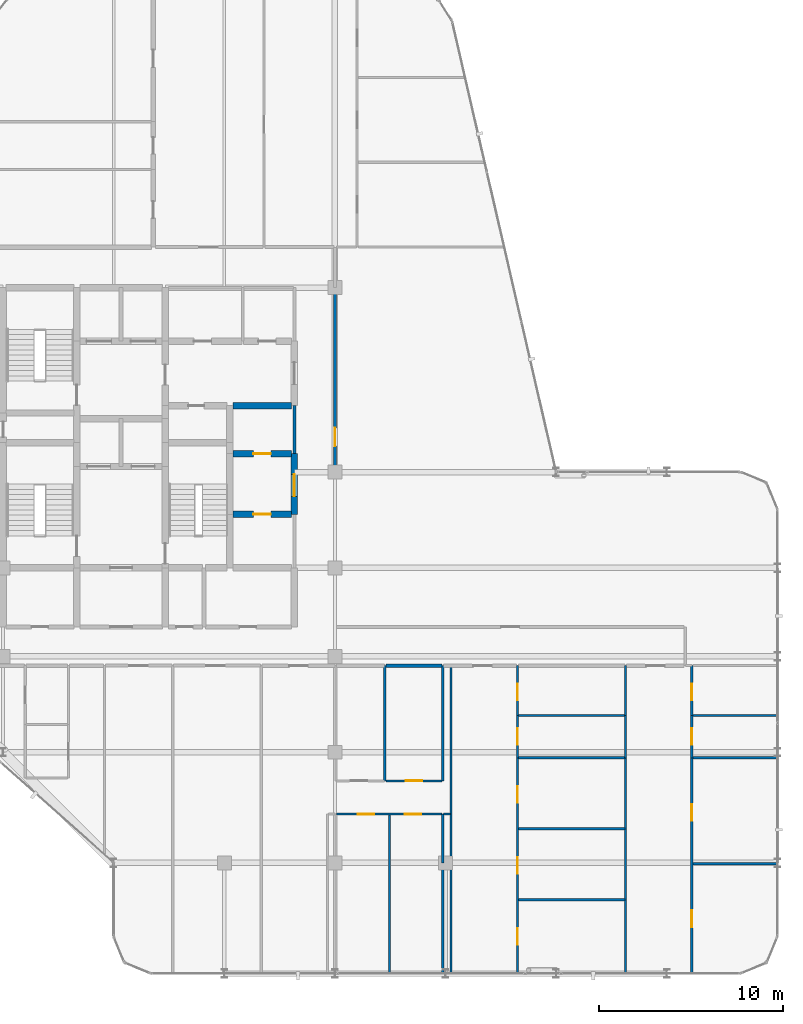
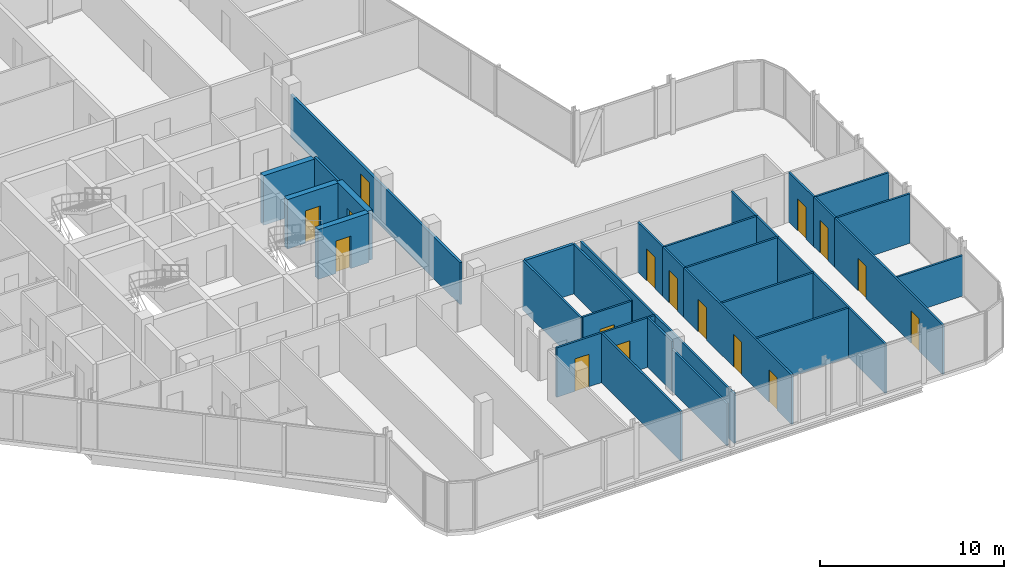
# One storey, part 25 of 28: 32 walls, 16 doors, 16 openings.
"""IFC4 building model written with IfcOpenShell, lengths in metres."""

from ifc_helpers import new_model, si_unit, direction, frame, frame_2d, origin, place, context, subcontext, project, spatial, rectangle, extrude, material, layer, layer_set, type_object, element, fill, save


model = new_model("IFC4")

# Units and contexts
model_context = context("Model", 3, precision=1e-05, world=origin(), true_north=direction((0.0, 1.0)))
body_context = subcontext(model_context, "Body", "Model", "MODEL_VIEW")
ifc_project = project(units=[si_unit("LENGTHUNIT", "METRE"), si_unit("AREAUNIT", "SQUARE_METRE"), si_unit("VOLUMEUNIT", "CUBIC_METRE"), si_unit("PLANEANGLEUNIT", "RADIAN"), si_unit("MASSUNIT", "GRAM", prefix="KILO")], contexts=[model_context])

# Site, building, storey
site_placement = place(None, origin())
site = spatial("IfcSite", under=ifc_project, at=site_placement, CompositionType="ELEMENT")
building_placement = place(site_placement, origin())
building = spatial("IfcBuilding", under=site, at=building_placement, Name="Keshet Zoharim Tower", CompositionType="ELEMENT")
storey_placement = place(building_placement, frame((0.0, 0.0, 233.89990234375)))
storey = spatial("IfcBuildingStorey", under=building, at=storey_placement, Name="L58", CompositionType="ELEMENT", Elevation=233.89990234375)

# Wall
ifc_material_1 = material(Name="Gypsum Plasterboard", Category="gypsum")
ifc_layer_1 = layer(ifc_material_1, 0.14990234375)
ifc_layer_set_1 = layer_set([ifc_layer_1], Name="Gypsum Plasterboard")
wall_type_1 = type_object("IfcWallType", Name="WL-CLIN-150", PredefinedType="STANDARD", material=ifc_layer_set_1)
wall_1_placement = place(storey_placement, frame((30.800048828125, 28.89990234375, 0.0), z_axis=(0.0, 0.0, 1.0), x_axis=(0.0, 1.0, 0.0)))
element("IfcWall", 1, at=wall_1_placement, inside=storey, type_object=wall_type_1, Name="L58 Interior Wall 056", PredefinedType="STANDARD", context=body_context, shape_type="SweptSolid", body=[
    extrude(rectangle(XDim=2.60009765625, YDim=0.14990234375, at=frame_2d((1.300048828125, 0.0))), origin(), (0.0, 0.0, 1.0), 3.280029296875),
])

# Wall, opening, door
wall_2_placement = place(storey_placement, frame((33.0, 19.510009765625, 0.0), z_axis=(0.0, 0.0, 1.0), x_axis=(0.0, 1.0, 0.0)))
wall_2 = element("IfcWall", 2, at=wall_2_placement, inside=storey, type_object=wall_type_1, Name="L58 Interior Wall 060", PredefinedType="STANDARD", context=body_context, shape_type="SweptSolid", body=[
    extrude(rectangle(XDim=18.389892578125, YDim=0.14990234375, at=frame_2d((9.19482421875, 0.0))), origin(), (0.0, 0.0, 1.0), 2.780029296875),
])
opening_1_placement = place(wall_2_placement, frame((9.7900390625, 0.0, 0.0)))
opening_1 = element("IfcOpeningElement", 3, at=opening_1_placement, cuts=wall_2, Name="Opening D-F310", PredefinedType="OPENING", context=body_context, shape_type="SweptSolid", body=[
    extrude(rectangle(XDim=1.0, YDim=2.14990234375, at=frame_2d((0.5, 1.074951171875))), frame((0.0, 0.0849609375, 0.0), z_axis=(0.0, -1.0, 0.0), x_axis=(1.0, 0.0, 0.0)), (0.0, 0.0, 1.0), 0.169921875),
])
ifc_material_2 = material(Name="Hardwood Timber", Category="wood")
door_type_1 = type_object("IfcDoorType", Name="DR-FD30-100", OperationType="NOTDEFINED", PredefinedType="DOOR", material=ifc_material_2)
door_1_placement = place(opening_1_placement, origin())
door_1 = element("IfcDoor", 4, at=door_1_placement, inside=storey, type_object=door_type_1, Name="L58 North East Residents Services Suite Door 1", OperationType="SINGLE_SWING_LEFT", OverallHeight=2.14990234375, OverallWidth=1.0, PredefinedType="DOOR", context=body_context, shape_type="SweptSolid", body=[
    extrude(rectangle(XDim=1.0, YDim=2.14990234375, at=frame_2d((0.5, 1.074951171875))), frame((0.0, 0.02490234375, 0.0), z_axis=(0.0, -1.0, 0.0), x_axis=(1.0, 0.0, 0.0)), (0.0, 0.0, 1.0), 0.050048828125),
])
fill(opening_1, door_1)

ifc_material_3 = material(Name="Concrete C60/75", Category="concrete")
ifc_layer_2 = layer(ifc_material_3, 0.35009765625)
ifc_layer_set_2 = layer_set([ifc_layer_2], Name="Concrete C60/75")
wall_type_2 = type_object("IfcWallType", Name="WL-CORE-350", PredefinedType="SHEAR", material=ifc_layer_set_2)
wall_3_placement = place(storey_placement, frame((30.800048828125, 25.60009765625, 0.0), z_axis=(0.0, 0.0, 1.0), x_axis=(0.0, 1.0, 0.0)))
wall_3 = element("IfcWall", 5, at=wall_3_placement, inside=storey, type_object=wall_type_2, Name="L58 Core Shear Wall 055", PredefinedType="SHEAR", context=body_context, shape_type="SweptSolid", body=[
    extrude(rectangle(XDim=3.2998046875, YDim=0.35009765625, at=frame_2d((1.64990234375, 0.0))), origin(), (0.0, 0.0, 1.0), 3.280029296875),
])
opening_2_placement = place(wall_3_placement, frame((0.97802734375, 0.0, 0.0)))
opening_2 = element("IfcOpeningElement", 6, at=opening_2_placement, cuts=wall_3, Name="Opening D-F612", PredefinedType="OPENING", context=body_context, shape_type="SweptSolid", body=[
    extrude(rectangle(XDim=1.199951171875, YDim=2.199951171875, at=frame_2d((0.60009765625, 1.10009765625))), frame((0.0, 0.18505859375, 0.0), z_axis=(0.0, -1.0, 0.0), x_axis=(1.0, 0.0, 0.0)), (0.0, 0.0, 1.0), 0.3701171875),
])
door_type_2 = type_object("IfcDoorType", Name="DR-FD60-120", OperationType="NOTDEFINED", PredefinedType="DOOR", material=ifc_material_2)
door_2_placement = place(opening_2_placement, origin())
door_2 = element("IfcDoor", 7, at=door_2_placement, inside=storey, type_object=door_type_2, Name="L58 East Lift Lobby Fire Door", OperationType="SINGLE_SWING_LEFT", OverallHeight=2.199951171875, OverallWidth=1.199951171875, PredefinedType="DOOR", context=body_context, shape_type="SweptSolid", body=[
    extrude(rectangle(XDim=1.199951171875, YDim=2.199951171875, at=frame_2d((0.60009765625, 1.10009765625))), frame((0.0, 0.02490234375, 0.0), z_axis=(0.0, -1.0, 0.0), x_axis=(1.0, 0.0, 0.0)), (0.0, 0.0, 1.0), 0.050048828125),
])
fill(opening_2, door_2)

wall_4_placement = place(storey_placement, frame((27.4599609375, 25.60009765625, 0.0), z_axis=(0.0, 0.0, 1.0), x_axis=(1.0, 0.0, 0.0)))
wall_4 = element("IfcWall", 8, at=wall_4_placement, inside=storey, type_object=wall_type_2, Name="L58 Core Shear Wall 122", PredefinedType="SHEAR", context=body_context, shape_type="SweptSolid", body=[
    extrude(rectangle(XDim=3.179931640625, YDim=0.35009765625, at=frame_2d((1.58984375, 0.0))), origin(), (0.0, 0.0, 1.0), 3.280029296875),
])
opening_3_placement = place(wall_4_placement, frame((1.114990234375, 0.0, 0.0)))
opening_3 = element("IfcOpeningElement", 9, at=opening_3_placement, cuts=wall_4, Name="Opening D-F695", PredefinedType="OPENING", context=body_context, shape_type="SweptSolid", body=[
    extrude(rectangle(XDim=0.949951171875, YDim=2.14990234375, at=frame_2d((0.47509765625, 1.074951171875))), frame((0.0, 0.18505859375, 0.0), z_axis=(0.0, -1.0, 0.0), x_axis=(1.0, 0.0, 0.0)), (0.0, 0.0, 1.0), 0.3701171875),
])
door_type_3 = type_object("IfcDoorType", Name="DR-FD60-095", OperationType="NOTDEFINED", PredefinedType="DOOR", material=ifc_material_2)
door_3_placement = place(opening_3_placement, origin())
door_3 = element("IfcDoor", 10, at=door_3_placement, inside=storey, type_object=door_type_3, Name="L58 Study Alcove Door", OperationType="SINGLE_SWING_RIGHT", OverallHeight=2.14990234375, OverallWidth=0.949951171875, PredefinedType="DOOR", context=body_context, shape_type="SweptSolid", body=[
    extrude(rectangle(XDim=0.949951171875, YDim=2.14990234375, at=frame_2d((0.47509765625, 1.074951171875))), frame((0.0, 0.02490234375, 0.0), z_axis=(0.0, -1.0, 0.0), x_axis=(1.0, 0.0, 0.0)), (0.0, 0.0, 1.0), 0.050048828125),
])
fill(opening_3, door_3)

wall_5_placement = place(storey_placement, frame((27.4599609375, 28.89990234375, 0.0), z_axis=(0.0, 0.0, 1.0), x_axis=(1.0, 0.0, 0.0)))
wall_5 = element("IfcWall", 11, at=wall_5_placement, inside=storey, type_object=wall_type_2, Name="L58 Core Shear Wall 130", PredefinedType="SHEAR", context=body_context, shape_type="SweptSolid", body=[
    extrude(rectangle(XDim=3.179931640625, YDim=0.35009765625, at=frame_2d((1.58984375, 0.0))), origin(), (0.0, 0.0, 1.0), 3.280029296875),
])
opening_4_placement = place(wall_5_placement, frame((1.114990234375, 0.0, 0.0)))
opening_4 = element("IfcOpeningElement", 12, at=opening_4_placement, cuts=wall_5, Name="Opening D-F695", PredefinedType="OPENING", context=body_context, shape_type="SweptSolid", body=[
    extrude(rectangle(XDim=0.949951171875, YDim=2.14990234375, at=frame_2d((0.47509765625, 1.074951171875))), frame((0.0, 0.18505859375, 0.0), z_axis=(0.0, -1.0, 0.0), x_axis=(1.0, 0.0, 0.0)), (0.0, 0.0, 1.0), 0.3701171875),
])
door_4_placement = place(opening_4_placement, frame((0.949951171875, 0.0, 0.0), z_axis=(0.0, 0.0, 1.0), x_axis=(-1.0, 0.0, 0.0)))
door_4 = element("IfcDoor", 13, at=door_4_placement, inside=storey, type_object=door_type_3, Name="L58 Parcel Store Door", OperationType="SINGLE_SWING_LEFT", OverallHeight=2.14990234375, OverallWidth=0.949951171875, PredefinedType="DOOR", context=body_context, shape_type="SweptSolid", body=[
    extrude(rectangle(XDim=0.949951171875, YDim=2.14990234375, at=frame_2d((0.47509765625, 1.074951171875))), frame((0.0, 0.02490234375, 0.0), z_axis=(0.0, -1.0, 0.0), x_axis=(1.0, 0.0, 0.0)), (0.0, 0.0, 1.0), 0.050048828125),
])
fill(opening_4, door_4)

# Walls
wall_6_placement = place(storey_placement, frame((27.4599609375, 31.5, 0.0), z_axis=(0.0, 0.0, 1.0), x_axis=(1.0, 0.0, 0.0)))
element("IfcWall", 14, at=wall_6_placement, inside=storey, type_object=wall_type_2, Name="L58 Core Shear Wall 138", PredefinedType="SHEAR", context=body_context, shape_type="SweptSolid", body=[
    extrude(rectangle(XDim=3.179931640625, YDim=0.35009765625, at=frame_2d((1.58984375, 0.0))), origin(), (0.0, 0.0, 1.0), 3.280029296875),
])
ifc_layer_3 = layer(ifc_material_1, 0.179931640625)
ifc_layer_set_3 = layer_set([ifc_layer_3], Name="Gypsum Plasterboard")
wall_type_3 = type_object("IfcWallType", Name="WL-CORR-180", PredefinedType="STANDARD", material=ifc_layer_set_3)
wall_7_placement = place(storey_placement, frame((35.762939453125, 17.39990234375, 0.0), z_axis=(0.0, 0.0, 1.0), x_axis=(1.0, 0.0, 0.0)))
element("IfcWall", 15, at=wall_7_placement, inside=storey, type_object=wall_type_3, Name="L58 Interior Wall 101", PredefinedType="STANDARD", context=body_context, shape_type="SweptSolid", body=[
    extrude(rectangle(XDim=3.0419921875, YDim=0.179931640625, at=frame_2d((1.52099609375, 0.0))), origin(), (0.0, 0.0, 1.0), 3.280029296875),
])
ifc_layer_4 = layer(ifc_material_1, 0.1201171875)
ifc_layer_set_4 = layer_set([ifc_layer_4], Name="Gypsum Plasterboard")
wall_type_4 = type_object("IfcWallType", Name="WL-PART-120", PredefinedType="PARTITIONING", material=ifc_layer_set_4)
wall_8_placement = place(storey_placement, frame((35.949951171875, 0.7099609375, 0.0), z_axis=(0.0, 0.0, 1.0), x_axis=(0.0, 1.0, 0.0)))
element("IfcWall", 16, at=wall_8_placement, inside=storey, type_object=wall_type_4, Name="L58 Interior Wall 065", PredefinedType="PARTITIONING", context=body_context, shape_type="SweptSolid", body=[
    extrude(rectangle(XDim=8.64013671875, YDim=0.1201171875, at=frame_2d((4.320068359375, 0.0))), origin(), (0.0, 0.0, 1.0), 3.280029296875),
])
wall_9_placement = place(storey_placement, frame((38.85009765625, 0.7099609375, 0.0), z_axis=(0.0, 0.0, 1.0), x_axis=(0.0, 1.0, 0.0)))
element("IfcWall", 17, at=wall_9_placement, inside=storey, type_object=wall_type_4, Name="L58 Interior Wall 066", PredefinedType="PARTITIONING", context=body_context, shape_type="SweptSolid", body=[
    extrude(rectangle(XDim=5.989990234375, YDim=0.1201171875, at=frame_2d((2.9951171875, 0.0))), origin(), (0.0, 0.0, 1.0), 2.780029296875),
])
wall_10_placement = place(storey_placement, frame((39.300048828125, 0.7099609375, 0.0), z_axis=(0.0, 0.0, 1.0), x_axis=(0.0, 1.0, 0.0)))
element("IfcWall", 18, at=wall_10_placement, inside=storey, type_object=wall_type_4, Name="L58 Interior Wall 068", PredefinedType="PARTITIONING", context=body_context, shape_type="SweptSolid", body=[
    extrude(rectangle(XDim=16.68994140625, YDim=0.1201171875, at=frame_2d((8.344970703125, 0.0))), origin(), (0.0, 0.0, 1.0), 3.280029296875),
])

# Wall, openings, doors
wall_11_placement = place(storey_placement, frame((42.89990234375, 0.7099609375, 0.0), z_axis=(0.0, 0.0, 1.0), x_axis=(0.0, 1.0, 0.0)))
wall_11 = element("IfcWall", 19, at=wall_11_placement, inside=storey, type_object=wall_type_4, Name="L58 Interior Wall 069", PredefinedType="PARTITIONING", context=body_context, shape_type="SweptSolid", body=[
    extrude(rectangle(XDim=11.68994140625, YDim=0.1201171875, at=frame_2d((5.844970703125, 0.0))), origin(), (0.0, 0.0, 1.0), 3.280029296875),
])
opening_5_placement = place(wall_11_placement, frame((1.551025390625, 0.0, 0.0)))
opening_5 = element("IfcOpeningElement", 20, at=opening_5_placement, cuts=wall_11, Name="Opening D-IN90", PredefinedType="OPENING", context=body_context, shape_type="SweptSolid", body=[
    extrude(rectangle(XDim=0.89990234375, YDim=2.14990234375, at=frame_2d((0.449951171875, 1.074951171875))), frame((0.0, 0.070068359375, 0.0), z_axis=(0.0, -1.0, 0.0), x_axis=(1.0, 0.0, 0.0)), (0.0, 0.0, 1.0), 0.14013671875),
])
opening_6_placement = place(wall_11_placement, frame((5.39794921875, 0.0, 0.0)))
opening_6 = element("IfcOpeningElement", 21, at=opening_6_placement, cuts=wall_11, Name="Opening D-IN90", PredefinedType="OPENING", context=body_context, shape_type="SweptSolid", body=[
    extrude(rectangle(XDim=0.89990234375, YDim=2.14990234375, at=frame_2d((0.449951171875, 1.074951171875))), frame((0.0, 0.070068359375, 0.0), z_axis=(0.0, -1.0, 0.0), x_axis=(1.0, 0.0, 0.0)), (0.0, 0.0, 1.0), 0.14013671875),
])
opening_7_placement = place(wall_11_placement, frame((9.241943359375, 0.0, 0.0)))
opening_7 = element("IfcOpeningElement", 22, at=opening_7_placement, cuts=wall_11, Name="Opening D-IN90", PredefinedType="OPENING", context=body_context, shape_type="SweptSolid", body=[
    extrude(rectangle(XDim=0.89990234375, YDim=2.14990234375, at=frame_2d((0.449951171875, 1.074951171875))), frame((0.0, 0.070068359375, 0.0), z_axis=(0.0, -1.0, 0.0), x_axis=(1.0, 0.0, 0.0)), (0.0, 0.0, 1.0), 0.14013671875),
])
door_type_4 = type_object("IfcDoorType", Name="DR-INT-090", OperationType="NOTDEFINED", PredefinedType="DOOR", material=ifc_material_2)
door_5_placement = place(opening_5_placement, origin())
door_5 = element("IfcDoor", 23, at=door_5_placement, inside=storey, type_object=door_type_4, Name="Apartment 5803 Bedroom 1 Door", OperationType="SINGLE_SWING_LEFT", OverallHeight=2.14990234375, OverallWidth=0.89990234375, PredefinedType="DOOR", context=body_context, shape_type="SweptSolid", body=[
    extrude(rectangle(XDim=0.89990234375, YDim=2.14990234375, at=frame_2d((0.449951171875, 1.074951171875))), frame((0.0, 0.02490234375, 0.0), z_axis=(0.0, -1.0, 0.0), x_axis=(1.0, 0.0, 0.0)), (0.0, 0.0, 1.0), 0.050048828125),
])
fill(opening_5, door_5)
door_6_placement = place(opening_6_placement, origin())
door_6 = element("IfcDoor", 24, at=door_6_placement, inside=storey, type_object=door_type_4, Name="Apartment 5803 Bedroom 2 Door", OperationType="SINGLE_SWING_RIGHT", OverallHeight=2.14990234375, OverallWidth=0.89990234375, PredefinedType="DOOR", context=body_context, shape_type="SweptSolid", body=[
    extrude(rectangle(XDim=0.89990234375, YDim=2.14990234375, at=frame_2d((0.449951171875, 1.074951171875))), frame((0.0, 0.02490234375, 0.0), z_axis=(0.0, -1.0, 0.0), x_axis=(1.0, 0.0, 0.0)), (0.0, 0.0, 1.0), 0.050048828125),
])
fill(opening_6, door_6)
door_7_placement = place(opening_7_placement, origin())
door_7 = element("IfcDoor", 25, at=door_7_placement, inside=storey, type_object=door_type_4, Name="Apartment 5803 Bedroom 3 Door", OperationType="SINGLE_SWING_LEFT", OverallHeight=2.14990234375, OverallWidth=0.89990234375, PredefinedType="DOOR", context=body_context, shape_type="SweptSolid", body=[
    extrude(rectangle(XDim=0.89990234375, YDim=2.14990234375, at=frame_2d((0.449951171875, 1.074951171875))), frame((0.0, 0.02490234375, 0.0), z_axis=(0.0, -1.0, 0.0), x_axis=(1.0, 0.0, 0.0)), (0.0, 0.0, 1.0), 0.050048828125),
])
fill(opening_7, door_7)

# Wall, opening, door
wall_12_placement = place(storey_placement, frame((42.89990234375, 12.39990234375, 0.0), z_axis=(0.0, 0.0, 1.0), x_axis=(0.0, 1.0, 0.0)))
wall_12 = element("IfcWall", 26, at=wall_12_placement, inside=storey, type_object=wall_type_4, Name="L58 Interior Wall 070", PredefinedType="PARTITIONING", context=body_context, shape_type="SweptSolid", body=[
    extrude(rectangle(XDim=2.300048828125, YDim=0.1201171875, at=frame_2d((1.14990234375, 0.0))), origin(), (0.0, 0.0, 1.0), 3.280029296875),
])
opening_8_placement = place(wall_12_placement, frame((0.699951171875, 0.0, 0.0)))
opening_8 = element("IfcOpeningElement", 27, at=opening_8_placement, cuts=wall_12, Name="Opening D-IN90", PredefinedType="OPENING", context=body_context, shape_type="SweptSolid", body=[
    extrude(rectangle(XDim=0.89990234375, YDim=2.14990234375, at=frame_2d((0.449951171875, 1.074951171875))), frame((0.0, 0.070068359375, 0.0), z_axis=(0.0, -1.0, 0.0), x_axis=(1.0, 0.0, 0.0)), (0.0, 0.0, 1.0), 0.14013671875),
])
door_8_placement = place(opening_8_placement, origin())
door_8 = element("IfcDoor", 28, at=door_8_placement, inside=storey, type_object=door_type_4, Name="Apartment 5803 Kitchen Door", OperationType="SINGLE_SWING_RIGHT", OverallHeight=2.14990234375, OverallWidth=0.89990234375, PredefinedType="DOOR", context=body_context, shape_type="SweptSolid", body=[
    extrude(rectangle(XDim=0.89990234375, YDim=2.14990234375, at=frame_2d((0.449951171875, 1.074951171875))), frame((0.0, 0.02490234375, 0.0), z_axis=(0.0, -1.0, 0.0), x_axis=(1.0, 0.0, 0.0)), (0.0, 0.0, 1.0), 0.050048828125),
])
fill(opening_8, door_8)

# Walls
wall_13_placement = place(storey_placement, frame((48.75, 0.7099609375, 0.0), z_axis=(0.0, 0.0, 1.0), x_axis=(0.0, 1.0, 0.0)))
element("IfcWall", 29, at=wall_13_placement, inside=storey, type_object=wall_type_4, Name="L58 Interior Wall 072", PredefinedType="PARTITIONING", context=body_context, shape_type="SweptSolid", body=[
    extrude(rectangle(XDim=11.68994140625, YDim=0.1201171875, at=frame_2d((5.844970703125, 0.0))), origin(), (0.0, 0.0, 1.0), 3.280029296875),
])
wall_14_placement = place(storey_placement, frame((48.75, 12.39990234375, 0.0), z_axis=(0.0, 0.0, 1.0), x_axis=(0.0, 1.0, 0.0)))
element("IfcWall", 30, at=wall_14_placement, inside=storey, type_object=wall_type_4, Name="L58 Interior Wall 073", PredefinedType="PARTITIONING", context=body_context, shape_type="SweptSolid", body=[
    extrude(rectangle(XDim=2.300048828125, YDim=0.1201171875, at=frame_2d((1.14990234375, 0.0))), origin(), (0.0, 0.0, 1.0), 3.280029296875),
])

# Wall, openings, doors
wall_15_placement = place(storey_placement, frame((52.35009765625, 0.7099609375, 0.0), z_axis=(0.0, 0.0, 1.0), x_axis=(0.0, 1.0, 0.0)))
wall_15 = element("IfcWall", 31, at=wall_15_placement, inside=storey, type_object=wall_type_4, Name="L58 Interior Wall 076", PredefinedType="PARTITIONING", context=body_context, shape_type="SweptSolid", body=[
    extrude(rectangle(XDim=11.68994140625, YDim=0.1201171875, at=frame_2d((5.844970703125, 0.0))), origin(), (0.0, 0.0, 1.0), 3.280029296875),
])
opening_9_placement = place(wall_15_placement, frame((2.513916015625, 0.0, 0.0)))
opening_9 = element("IfcOpeningElement", 32, at=opening_9_placement, cuts=wall_15, Name="Opening D-IN90", PredefinedType="OPENING", context=body_context, shape_type="SweptSolid", body=[
    extrude(rectangle(XDim=0.89990234375, YDim=2.14990234375, at=frame_2d((0.449951171875, 1.074951171875))), frame((0.0, 0.070068359375, 0.0), z_axis=(0.0, -1.0, 0.0), x_axis=(1.0, 0.0, 0.0)), (0.0, 0.0, 1.0), 0.14013671875),
])
opening_10_placement = place(wall_15_placement, frame((8.280029296875, 0.0, 0.0)))
opening_10 = element("IfcOpeningElement", 33, at=opening_10_placement, cuts=wall_15, Name="Opening D-IN90", PredefinedType="OPENING", context=body_context, shape_type="SweptSolid", body=[
    extrude(rectangle(XDim=0.89990234375, YDim=2.14990234375, at=frame_2d((0.449951171875, 1.074951171875))), frame((0.0, 0.070068359375, 0.0), z_axis=(0.0, -1.0, 0.0), x_axis=(1.0, 0.0, 0.0)), (0.0, 0.0, 1.0), 0.14013671875),
])
door_9_placement = place(opening_9_placement, origin())
door_9 = element("IfcDoor", 34, at=door_9_placement, inside=storey, type_object=door_type_4, Name="Apartment 5804 Bedroom 1 Door", OperationType="SINGLE_SWING_RIGHT", OverallHeight=2.14990234375, OverallWidth=0.89990234375, PredefinedType="DOOR", context=body_context, shape_type="SweptSolid", body=[
    extrude(rectangle(XDim=0.89990234375, YDim=2.14990234375, at=frame_2d((0.449951171875, 1.074951171875))), frame((0.0, 0.02490234375, 0.0), z_axis=(0.0, -1.0, 0.0), x_axis=(1.0, 0.0, 0.0)), (0.0, 0.0, 1.0), 0.050048828125),
])
fill(opening_9, door_9)
door_10_placement = place(opening_10_placement, origin())
door_10 = element("IfcDoor", 35, at=door_10_placement, inside=storey, type_object=door_type_4, Name="Apartment 5804 Bedroom 2 Door", OperationType="SINGLE_SWING_LEFT", OverallHeight=2.14990234375, OverallWidth=0.89990234375, PredefinedType="DOOR", context=body_context, shape_type="SweptSolid", body=[
    extrude(rectangle(XDim=0.89990234375, YDim=2.14990234375, at=frame_2d((0.449951171875, 1.074951171875))), frame((0.0, 0.02490234375, 0.0), z_axis=(0.0, -1.0, 0.0), x_axis=(1.0, 0.0, 0.0)), (0.0, 0.0, 1.0), 0.050048828125),
])
fill(opening_10, door_10)

# Wall, opening, door
wall_16_placement = place(storey_placement, frame((52.35009765625, 12.39990234375, 0.0), z_axis=(0.0, 0.0, 1.0), x_axis=(0.0, 1.0, 0.0)))
wall_16 = element("IfcWall", 36, at=wall_16_placement, inside=storey, type_object=wall_type_4, Name="L58 Interior Wall 077", PredefinedType="PARTITIONING", context=body_context, shape_type="SweptSolid", body=[
    extrude(rectangle(XDim=2.300048828125, YDim=0.1201171875, at=frame_2d((1.14990234375, 0.0))), origin(), (0.0, 0.0, 1.0), 3.280029296875),
])
opening_11_placement = place(wall_16_placement, frame((0.699951171875, 0.0, 0.0)))
opening_11 = element("IfcOpeningElement", 37, at=opening_11_placement, cuts=wall_16, Name="Opening D-IN90", PredefinedType="OPENING", context=body_context, shape_type="SweptSolid", body=[
    extrude(rectangle(XDim=0.89990234375, YDim=2.14990234375, at=frame_2d((0.449951171875, 1.074951171875))), frame((0.0, 0.070068359375, 0.0), z_axis=(0.0, -1.0, 0.0), x_axis=(1.0, 0.0, 0.0)), (0.0, 0.0, 1.0), 0.14013671875),
])
door_11_placement = place(opening_11_placement, origin())
door_11 = element("IfcDoor", 38, at=door_11_placement, inside=storey, type_object=door_type_4, Name="Apartment 5804 Kitchen Door", OperationType="SINGLE_SWING_RIGHT", OverallHeight=2.14990234375, OverallWidth=0.89990234375, PredefinedType="DOOR", context=body_context, shape_type="SweptSolid", body=[
    extrude(rectangle(XDim=0.89990234375, YDim=2.14990234375, at=frame_2d((0.449951171875, 1.074951171875))), frame((0.0, 0.02490234375, 0.0), z_axis=(0.0, -1.0, 0.0), x_axis=(1.0, 0.0, 0.0)), (0.0, 0.0, 1.0), 0.050048828125),
])
fill(opening_11, door_11)

# Walls
wall_17_placement = place(storey_placement, frame((42.945068359375, 4.699951171875, 0.0), z_axis=(0.0, 0.0, 1.0), x_axis=(1.0, 0.0, 0.0)))
element("IfcWall", 39, at=wall_17_placement, inside=storey, type_object=wall_type_4, Name="L58 Interior Wall 079", PredefinedType="PARTITIONING", context=body_context, shape_type="SweptSolid", body=[
    extrude(rectangle(XDim=5.780029296875, YDim=0.1201171875, at=frame_2d((2.89013671875, 0.0))), origin(), (0.0, 0.0, 1.0), 3.280029296875),
])
wall_18_placement = place(storey_placement, frame((52.4150390625, 6.64990234375, 0.0), z_axis=(0.0, 0.0, 1.0), x_axis=(1.0, 0.0, 0.0)))
element("IfcWall", 40, at=wall_18_placement, inside=storey, type_object=wall_type_4, Name="L58 Interior Wall 080", PredefinedType="PARTITIONING", context=body_context, shape_type="SweptSolid", body=[
    extrude(rectangle(XDim=4.574951171875, YDim=0.1201171875, at=frame_2d((2.28759765625, 0.0))), origin(), (0.0, 0.0, 1.0), 2.68017578125),
])
wall_19_placement = place(storey_placement, frame((42.945068359375, 8.550048828125, 0.0), z_axis=(0.0, 0.0, 1.0), x_axis=(1.0, 0.0, 0.0)))
element("IfcWall", 41, at=wall_19_placement, inside=storey, type_object=wall_type_4, Name="L58 Interior Wall 081", PredefinedType="PARTITIONING", context=body_context, shape_type="SweptSolid", body=[
    extrude(rectangle(XDim=5.780029296875, YDim=0.1201171875, at=frame_2d((2.89013671875, 0.0))), origin(), (0.0, 0.0, 1.0), 3.280029296875),
])

# Wall, openings, doors
wall_20_placement = place(storey_placement, frame((33.094970703125, 9.35009765625, 0.0), z_axis=(0.0, 0.0, 1.0), x_axis=(1.0, 0.0, 0.0)))
wall_20 = element("IfcWall", 42, at=wall_20_placement, inside=storey, type_object=wall_type_4, Name="L58 Interior Wall 083", PredefinedType="PARTITIONING", context=body_context, shape_type="SweptSolid", body=[
    extrude(rectangle(XDim=5.7099609375, YDim=0.1201171875, at=frame_2d((2.85498046875, 0.0))), origin(), (0.0, 0.0, 1.0), 3.280029296875),
])
opening_12_placement = place(wall_20_placement, frame((1.1298828125, 0.0, 0.0)))
opening_12 = element("IfcOpeningElement", 43, at=opening_12_placement, cuts=wall_20, Name="Opening D-IN90", PredefinedType="OPENING", context=body_context, shape_type="SweptSolid", body=[
    extrude(rectangle(XDim=0.89990234375, YDim=2.14990234375, at=frame_2d((0.449951171875, 1.074951171875))), frame((0.0, 0.070068359375, 0.0), z_axis=(0.0, -1.0, 0.0), x_axis=(1.0, 0.0, 0.0)), (0.0, 0.0, 1.0), 0.14013671875),
])
opening_13_placement = place(wall_20_placement, frame((3.679931640625, 0.0, 0.0)))
opening_13 = element("IfcOpeningElement", 44, at=opening_13_placement, cuts=wall_20, Name="Opening D-IN90", PredefinedType="OPENING", context=body_context, shape_type="SweptSolid", body=[
    extrude(rectangle(XDim=0.89990234375, YDim=2.14990234375, at=frame_2d((0.449951171875, 1.074951171875))), frame((0.0, 0.070068359375, 0.0), z_axis=(0.0, -1.0, 0.0), x_axis=(1.0, 0.0, 0.0)), (0.0, 0.0, 1.0), 0.14013671875),
])
door_12_placement = place(opening_12_placement, origin())
door_12 = element("IfcDoor", 45, at=door_12_placement, inside=storey, type_object=door_type_4, Name="Apartment 5802 Bedroom 1 Door", OperationType="SINGLE_SWING_RIGHT", OverallHeight=2.14990234375, OverallWidth=0.89990234375, PredefinedType="DOOR", context=body_context, shape_type="SweptSolid", body=[
    extrude(rectangle(XDim=0.89990234375, YDim=2.14990234375, at=frame_2d((0.449951171875, 1.074951171875))), frame((0.0, 0.02490234375, 0.0), z_axis=(0.0, -1.0, 0.0), x_axis=(1.0, 0.0, 0.0)), (0.0, 0.0, 1.0), 0.050048828125),
])
fill(opening_12, door_12)
door_13_placement = place(opening_13_placement, origin())
door_13 = element("IfcDoor", 46, at=door_13_placement, inside=storey, type_object=door_type_4, Name="Apartment 5802 Bedroom 2 Door", OperationType="SINGLE_SWING_LEFT", OverallHeight=2.14990234375, OverallWidth=0.89990234375, PredefinedType="DOOR", context=body_context, shape_type="SweptSolid", body=[
    extrude(rectangle(XDim=0.89990234375, YDim=2.14990234375, at=frame_2d((0.449951171875, 1.074951171875))), frame((0.0, 0.02490234375, 0.0), z_axis=(0.0, -1.0, 0.0), x_axis=(1.0, 0.0, 0.0)), (0.0, 0.0, 1.0), 0.050048828125),
])
fill(opening_13, door_13)

# Walls
wall_21_placement = place(storey_placement, frame((38.89501953125, 9.35009765625, 0.0), z_axis=(0.0, 0.0, 1.0), x_axis=(1.0, 0.0, 0.0)))
element("IfcWall", 47, at=wall_21_placement, inside=storey, type_object=wall_type_4, Name="L58 Interior Wall 084", PredefinedType="PARTITIONING", context=body_context, shape_type="SweptSolid", body=[
    extrude(rectangle(XDim=0.35986328125, YDim=0.1201171875, at=frame_2d((0.179931640625, 0.0))), origin(), (0.0, 0.0, 1.0), 3.280029296875),
])
wall_22_placement = place(storey_placement, frame((42.945068359375, 12.39990234375, 0.0), z_axis=(0.0, 0.0, 1.0), x_axis=(1.0, 0.0, 0.0)))
element("IfcWall", 48, at=wall_22_placement, inside=storey, type_object=wall_type_4, Name="L58 Interior Wall 088", PredefinedType="PARTITIONING", context=body_context, shape_type="SweptSolid", body=[
    extrude(rectangle(XDim=5.780029296875, YDim=0.1201171875, at=frame_2d((2.89013671875, 0.0))), origin(), (0.0, 0.0, 1.0), 3.280029296875),
])
wall_23_placement = place(storey_placement, frame((52.4150390625, 12.39990234375, 0.0), z_axis=(0.0, 0.0, 1.0), x_axis=(1.0, 0.0, 0.0)))
element("IfcWall", 49, at=wall_23_placement, inside=storey, type_object=wall_type_4, Name="L58 Interior Wall 089", PredefinedType="PARTITIONING", context=body_context, shape_type="SweptSolid", body=[
    extrude(rectangle(XDim=4.574951171875, YDim=0.1201171875, at=frame_2d((2.28759765625, 0.0))), origin(), (0.0, 0.0, 1.0), 3.280029296875),
])
wall_24_placement = place(storey_placement, frame((38.85009765625, 6.699951171875, 0.0), z_axis=(0.0, 0.0, 1.0), x_axis=(0.0, 1.0, 0.0)))
element("IfcWall", 50, at=wall_24_placement, inside=storey, type_object=wall_type_4, Name="L58 Interior Wall 066 Part 2", PredefinedType="PARTITIONING", context=body_context, shape_type="SweptSolid", body=[
    extrude(rectangle(XDim=2.650146484375, YDim=0.1201171875, at=frame_2d((1.3251953125, 0.0))), origin(), (0.0, 0.0, 1.0), 3.280029296875),
])
ifc_layer_5 = layer(ifc_material_1, 0.1201171875)
ifc_layer_set_5 = layer_set([ifc_layer_5], Name="Gypsum Plasterboard")
wall_type_5 = type_object("IfcWallType", Name="WL-WET-120", PredefinedType="PARTITIONING", material=ifc_layer_set_5)
for number, where, z_axis, x_axis, name in (
    (51, (35.699951171875, 11.14990234375, 0.0), (0.0, 0.0, 1.0), (0.0, 1.0, 0.0), "L58 Interior Wall 064"),
    (52, (38.85009765625, 11.14990234375, 0.0), (0.0, 0.0, 1.0), (0.0, 1.0, 0.0), "L58 Interior Wall 067"),
):
    element("IfcWall", number, at=place(storey_placement, frame(where, z_axis=z_axis, x_axis=x_axis)), inside=storey, type_object=wall_type_5, Name=name, PredefinedType="PARTITIONING", context=body_context, shape_type="SweptSolid", body=[
        extrude(rectangle(XDim=6.25, YDim=0.1201171875, at=frame_2d((3.125, 0.0))), origin(), (0.0, 0.0, 1.0), 3.280029296875),
    ])

# Wall, opening, door
wall_25_placement = place(storey_placement, frame((42.89990234375, 14.699951171875, 0.0), z_axis=(0.0, 0.0, 1.0), x_axis=(0.0, 1.0, 0.0)))
wall_25 = element("IfcWall", 53, at=wall_25_placement, inside=storey, type_object=wall_type_5, Name="L58 Interior Wall 071", PredefinedType="PARTITIONING", context=body_context, shape_type="SweptSolid", body=[
    extrude(rectangle(XDim=2.699951171875, YDim=0.1201171875, at=frame_2d((1.35009765625, 0.0))), origin(), (0.0, 0.0, 1.0), 3.280029296875),
])
opening_14_placement = place(wall_25_placement, frame((0.827880859375, 0.0, 0.0)))
opening_14 = element("IfcOpeningElement", 54, at=opening_14_placement, cuts=wall_25, Name="Opening D-WT90", PredefinedType="OPENING", context=body_context, shape_type="SweptSolid", body=[
    extrude(rectangle(XDim=0.89990234375, YDim=2.10009765625, at=frame_2d((0.449951171875, 1.050048828125))), frame((0.0, 0.070068359375, 0.0), z_axis=(0.0, -1.0, 0.0), x_axis=(1.0, 0.0, 0.0)), (0.0, 0.0, 1.0), 0.14013671875),
])
door_type_5 = type_object("IfcDoorType", Name="DR-WET-090", OperationType="NOTDEFINED", PredefinedType="DOOR", material=ifc_material_2)
door_14_placement = place(opening_14_placement, origin())
door_14 = element("IfcDoor", 55, at=door_14_placement, inside=storey, type_object=door_type_5, Name="Apartment 5803 Bathroom Door", OperationType="SINGLE_SWING_LEFT", OverallHeight=2.10009765625, OverallWidth=0.89990234375, PredefinedType="DOOR", context=body_context, shape_type="SweptSolid", body=[
    extrude(rectangle(XDim=0.89990234375, YDim=2.10009765625, at=frame_2d((0.449951171875, 1.050048828125))), frame((0.0, 0.02490234375, 0.0), z_axis=(0.0, -1.0, 0.0), x_axis=(1.0, 0.0, 0.0)), (0.0, 0.0, 1.0), 0.050048828125),
])
fill(opening_14, door_14)

# Wall
wall_26_placement = place(storey_placement, frame((48.75, 14.699951171875, 0.0), z_axis=(0.0, 0.0, 1.0), x_axis=(0.0, 1.0, 0.0)))
element("IfcWall", 56, at=wall_26_placement, inside=storey, type_object=wall_type_5, Name="L58 Interior Wall 074", PredefinedType="PARTITIONING", context=body_context, shape_type="SweptSolid", body=[
    extrude(rectangle(XDim=2.699951171875, YDim=0.1201171875, at=frame_2d((1.35009765625, 0.0))), origin(), (0.0, 0.0, 1.0), 3.280029296875),
])

# Wall, opening, door
wall_27_placement = place(storey_placement, frame((52.35009765625, 14.699951171875, 0.0), z_axis=(0.0, 0.0, 1.0), x_axis=(0.0, 1.0, 0.0)))
wall_27 = element("IfcWall", 57, at=wall_27_placement, inside=storey, type_object=wall_type_5, Name="L58 Interior Wall 078", PredefinedType="PARTITIONING", context=body_context, shape_type="SweptSolid", body=[
    extrude(rectangle(XDim=2.699951171875, YDim=0.1201171875, at=frame_2d((1.35009765625, 0.0))), origin(), (0.0, 0.0, 1.0), 3.280029296875),
])
opening_15_placement = place(wall_27_placement, frame((0.827880859375, 0.0, 0.0)))
opening_15 = element("IfcOpeningElement", 58, at=opening_15_placement, cuts=wall_27, Name="Opening D-WT90", PredefinedType="OPENING", context=body_context, shape_type="SweptSolid", body=[
    extrude(rectangle(XDim=0.89990234375, YDim=2.10009765625, at=frame_2d((0.449951171875, 1.050048828125))), frame((0.0, 0.070068359375, 0.0), z_axis=(0.0, -1.0, 0.0), x_axis=(1.0, 0.0, 0.0)), (0.0, 0.0, 1.0), 0.14013671875),
])
door_15_placement = place(opening_15_placement, origin())
door_15 = element("IfcDoor", 59, at=door_15_placement, inside=storey, type_object=door_type_5, Name="Apartment 5804 Bathroom Door", OperationType="SINGLE_SWING_LEFT", OverallHeight=2.10009765625, OverallWidth=0.89990234375, PredefinedType="DOOR", context=body_context, shape_type="SweptSolid", body=[
    extrude(rectangle(XDim=0.89990234375, YDim=2.10009765625, at=frame_2d((0.449951171875, 1.050048828125))), frame((0.0, 0.02490234375, 0.0), z_axis=(0.0, -1.0, 0.0), x_axis=(1.0, 0.0, 0.0)), (0.0, 0.0, 1.0), 0.050048828125),
])
fill(opening_15, door_15)

wall_28_placement = place(storey_placement, frame((35.762939453125, 11.14990234375, 0.0), z_axis=(0.0, 0.0, 1.0), x_axis=(1.0, 0.0, 0.0)))
wall_28 = element("IfcWall", 60, at=wall_28_placement, inside=storey, type_object=wall_type_5, Name="L58 Interior Wall 086", PredefinedType="PARTITIONING", context=body_context, shape_type="SweptSolid", body=[
    extrude(rectangle(XDim=3.0419921875, YDim=0.1201171875, at=frame_2d((1.52099609375, 0.0))), origin(), (0.0, 0.0, 1.0), 3.280029296875),
])
opening_16_placement = place(wall_28_placement, frame((1.071044921875, 0.0, 0.0)))
opening_16 = element("IfcOpeningElement", 61, at=opening_16_placement, cuts=wall_28, Name="Opening D-WT90", PredefinedType="OPENING", context=body_context, shape_type="SweptSolid", body=[
    extrude(rectangle(XDim=0.89990234375, YDim=2.10009765625, at=frame_2d((0.449951171875, 1.050048828125))), frame((0.0, 0.070068359375, 0.0), z_axis=(0.0, -1.0, 0.0), x_axis=(1.0, 0.0, 0.0)), (0.0, 0.0, 1.0), 0.14013671875),
])
door_16_placement = place(opening_16_placement, origin())
door_16 = element("IfcDoor", 62, at=door_16_placement, inside=storey, type_object=door_type_5, Name="Apartment 5802 Bathroom Door", OperationType="SINGLE_SWING_LEFT", OverallHeight=2.10009765625, OverallWidth=0.89990234375, PredefinedType="DOOR", context=body_context, shape_type="SweptSolid", body=[
    extrude(rectangle(XDim=0.89990234375, YDim=2.10009765625, at=frame_2d((0.449951171875, 1.050048828125))), frame((0.0, 0.02490234375, 0.0), z_axis=(0.0, -1.0, 0.0), x_axis=(1.0, 0.0, 0.0)), (0.0, 0.0, 1.0), 0.050048828125),
])
fill(opening_16, door_16)

# Walls
wall_29_placement = place(storey_placement, frame((42.945068359375, 14.699951171875, 0.0), z_axis=(0.0, 0.0, 1.0), x_axis=(1.0, 0.0, 0.0)))
element("IfcWall", 63, at=wall_29_placement, inside=storey, type_object=wall_type_5, Name="L58 Interior Wall 091", PredefinedType="PARTITIONING", context=body_context, shape_type="SweptSolid", body=[
    extrude(rectangle(XDim=5.780029296875, YDim=0.1201171875, at=frame_2d((2.89013671875, 0.0))), origin(), (0.0, 0.0, 1.0), 3.280029296875),
])
wall_30_placement = place(storey_placement, frame((52.4150390625, 14.699951171875, 0.0), z_axis=(0.0, 0.0, 1.0), x_axis=(1.0, 0.0, 0.0)))
element("IfcWall", 64, at=wall_30_placement, inside=storey, type_object=wall_type_5, Name="L58 Interior Wall 092", PredefinedType="PARTITIONING", context=body_context, shape_type="SweptSolid", body=[
    extrude(rectangle(XDim=4.574951171875, YDim=0.1201171875, at=frame_2d((2.28759765625, 0.0))), origin(), (0.0, 0.0, 1.0), 3.280029296875),
])

save(model, "model.ifc")
